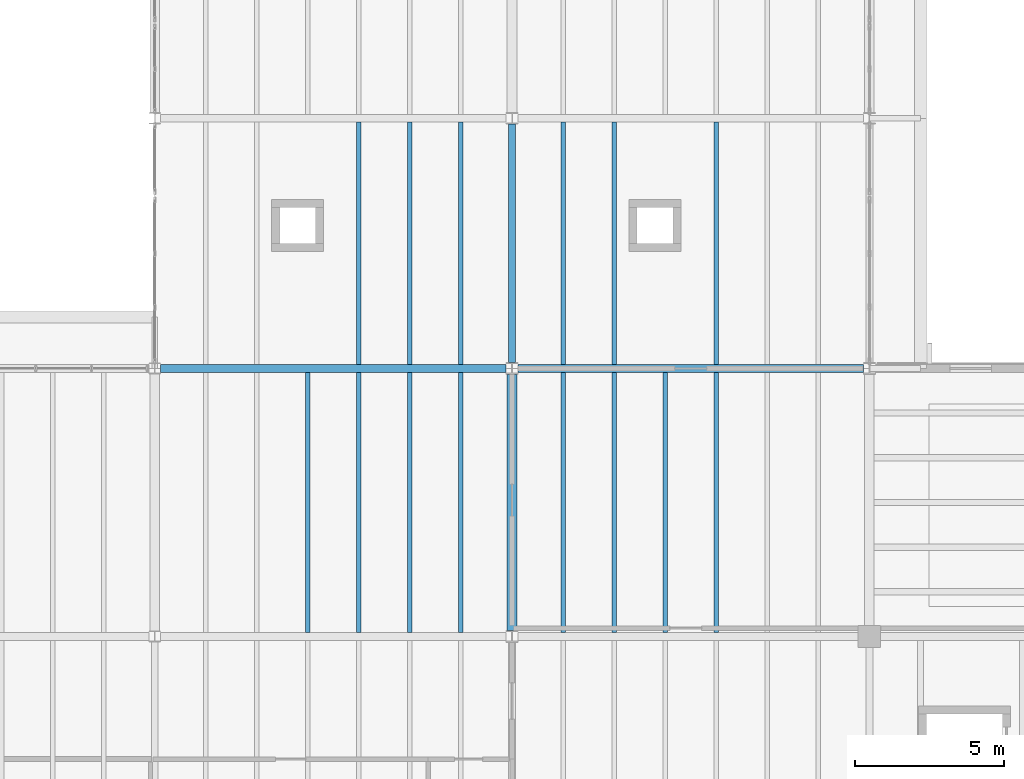
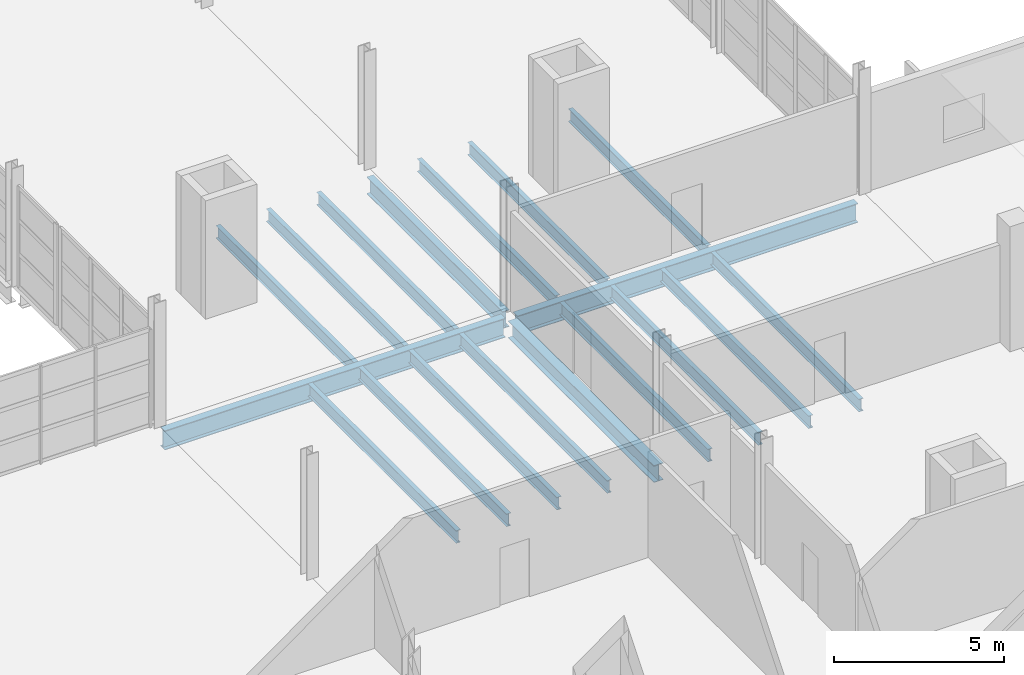
# One storey, part 50 of 114: 18 beams.
"""IFC4 building model written with IfcOpenShell, lengths in metres."""

from ifc_helpers import new_model, si_unit, direction, frame, origin, origin_2d, place, context, subcontext, project, spatial, i_section, extrude, material, material_profile, profile_set, type_object, element, save


model = new_model("IFC4")

# Units and contexts
model_context = context("Model", 3, precision=1e-05, world=origin(), true_north=direction((0.0, 1.0)))
body_context = subcontext(model_context, "Body", "Model", "MODEL_VIEW")
ifc_project = project(units=[si_unit("LENGTHUNIT", "METRE"), si_unit("AREAUNIT", "SQUARE_METRE"), si_unit("VOLUMEUNIT", "CUBIC_METRE"), si_unit("PLANEANGLEUNIT", "RADIAN"), si_unit("MASSUNIT", "GRAM", prefix="KILO")], contexts=[model_context])

# Site, building, storey
site_placement = place(None, origin())
site = spatial("IfcSite", under=ifc_project, at=site_placement, CompositionType="ELEMENT")
building_placement = place(site_placement, origin())
building = spatial("IfcBuilding", under=site, at=building_placement, Name="Kelmvaro Bay Concert Hall", CompositionType="ELEMENT")
storey_placement = place(building_placement, frame((0.0, 0.0, 4.800048828125)))
storey = spatial("IfcBuildingStorey", under=building, at=storey_placement, Name="L01", CompositionType="ELEMENT", Elevation=4.800048828125)

# Beams
ifc_material_1 = material(Name="Steel ASTM A992 Grade 50", Category="steel")
ifc_material_profile_1 = material_profile(ifc_material_1, i_section(OverallWidth=0.152099609375, OverallDepth=0.455078125, WebThickness=0.008056640625, FlangeThickness=0.01318359375, at=origin_2d()), Name="W18X40")
ifc_profile_set_1 = profile_set([ifc_material_profile_1], Name="Steel ASTM A992 Grade 50")
beam_type_1 = type_object("IfcBeamType", Name="Foyer Concourse Floor Joist W18x40", PredefinedType="JOIST", material=ifc_profile_set_1)
for number, where, z_axis, x_axis, name in (
    (1, (113.142822265625, 30.1279296875, -0.4775390625), (0.0, 1.0, 0.0), (-1.0, 0.0, 0.0), "L01 Floor Joist JST-L01-0400"),
    (2, (114.857177734375, 30.1279296875, -0.4775390625), (0.0, 1.0, 0.0), (-1.0, 0.0, 0.0), "L01 Floor Joist JST-L01-0401"),
    (3, (116.5712890625, 30.1279296875, -0.4775390625), (0.0, 1.0, 0.0), (-1.0, 0.0, 0.0), "L01 Floor Joist JST-L01-0402"),
    (4, (118.28564453125, 30.1279296875, -0.4775390625), (0.0, 1.0, 0.0), (-1.0, 0.0, 0.0), "L01 Floor Joist JST-L01-0403"),
    (5, (121.71435546875, 30.1279296875, -0.547607421875), (0.0, 1.0, 0.0), (-1.0, 0.0, 0.0), "L01 Floor Joist JST-L01-0404"),
    (6, (123.4287109375, 30.1279296875, -0.547607421875), (0.0, 1.0, 0.0), (-1.0, 0.0, 0.0), "L01 Floor Joist JST-L01-0405"),
    (7, (125.142822265625, 30.1279296875, -0.547607421875), (0.0, 1.0, 0.0), (-1.0, 0.0, 0.0), "L01 Floor Joist JST-L01-0406"),
    (8, (126.857177734375, 30.1279296875, -0.547607421875), (0.0, 1.0, 0.0), (-1.0, 0.0, 0.0), "L01 Floor Joist JST-L01-0407"),
):
    element("IfcBeam", number, at=place(storey_placement, frame(where, z_axis=z_axis, x_axis=x_axis)), inside=storey, type_object=beam_type_1, Name=name, PredefinedType="JOIST", context=body_context, shape_type="SweptSolid", body=[
        extrude(i_section(OverallWidth=0.152099609375, OverallDepth=0.455078125, WebThickness=0.008056640625, FlangeThickness=0.01318359375, at=origin_2d()), origin(), (0.0, 0.0, 1.0), 8.744140625),
    ])
for number, where, z_axis, x_axis, name in (
    (9, (114.857177734375, 39.1279296875, -0.4775390625), (0.0, 1.0, 0.0), (-1.0, 0.0, 0.0), "L01 Floor Joist JST-L01-0452"),
    (10, (116.5712890625, 39.1279296875, -0.4775390625), (0.0, 1.0, 0.0), (-1.0, 0.0, 0.0), "L01 Floor Joist JST-L01-0453"),
    (11, (118.28564453125, 39.1279296875, -0.4775390625), (0.0, 1.0, 0.0), (-1.0, 0.0, 0.0), "L01 Floor Joist JST-L01-0454"),
    (12, (121.71435546875, 39.1279296875, -0.4775390625), (0.0, 1.0, 0.0), (-1.0, 0.0, 0.0), "L01 Floor Joist JST-L01-0455"),
    (13, (123.4287109375, 39.1279296875, -0.4775390625), (0.0, 1.0, 0.0), (-1.0, 0.0, 0.0), "L01 Floor Joist JST-L01-0456"),
    (14, (126.857177734375, 39.1279296875, -0.4775390625), (0.0, 1.0, 0.0), (-1.0, 0.0, 0.0), "L01 Floor Joist JST-L01-0457"),
):
    element("IfcBeam", number, at=place(storey_placement, frame(where, z_axis=z_axis, x_axis=x_axis)), inside=storey, type_object=beam_type_1, Name=name, PredefinedType="JOIST", context=body_context, shape_type="SweptSolid", body=[
        extrude(i_section(OverallWidth=0.152099609375, OverallDepth=0.455078125, WebThickness=0.008056640625, FlangeThickness=0.01318359375, at=origin_2d()), origin(), (0.0, 0.0, 1.0), 8.14404296875),
    ])
ifc_material_2 = material(Name="Steel ASTM A992 Grade 50", Category="steel")
ifc_material_profile_2 = material_profile(ifc_material_2, i_section(OverallWidth=0.323974609375, OverallDepth=0.611083984375, WebThickness=0.0126953125, FlangeThickness=0.01904296875, at=origin_2d()), Name="W24X104")
ifc_profile_set_2 = profile_set([ifc_material_profile_2], Name="Steel ASTM A992 Grade 50")
beam_type_2 = type_object("IfcBeamType", Name="Foyer Frame Girder W24x104", PredefinedType="BEAM", material=ifc_profile_set_2)
beam_1_placement = place(storey_placement, frame((120.0, 30.197021484375, -0.62548828125), z_axis=(0.0, 1.0, 0.0), x_axis=(-1.0, 0.0, 0.0)))
element("IfcBeam", 15, at=beam_1_placement, inside=storey, type_object=beam_type_2, Name="L01 Girder BM-L01-NS-0185", PredefinedType="BEAM", context=body_context, shape_type="SweptSolid", body=[
    extrude(i_section(OverallWidth=0.323974609375, OverallDepth=0.611083984375, WebThickness=0.0126953125, FlangeThickness=0.01904296875, at=origin_2d()), origin(), (0.0, 0.0, 1.0), 8.603515625),
])
ifc_material_3 = material(Name="Steel ASTM A992 Grade 50", Category="steel")
ifc_material_profile_3 = material_profile(ifc_material_3, i_section(OverallWidth=0.256103515625, OverallDepth=0.693115234375, WebThickness=0.014404296875, FlangeThickness=0.023681640625, at=origin_2d()), Name="W27X114")
ifc_profile_set_3 = profile_set([ifc_material_profile_3], Name="Steel ASTM A992 Grade 50")
beam_type_3 = type_object("IfcBeamType", Name="Foyer Primary Girder W27x114", PredefinedType="BEAM", material=ifc_profile_set_3)
beam_2_placement = place(storey_placement, frame((108.197998046875, 39.0, -0.596435546875), z_axis=(1.0, 0.0, 0.0), x_axis=(0.0, 1.0, 0.0)))
element("IfcBeam", 16, at=beam_2_placement, inside=storey, type_object=beam_type_3, Name="L01 Girder BM-L01-EW-0054", PredefinedType="BEAM", context=body_context, shape_type="SweptSolid", body=[
    extrude(i_section(OverallWidth=0.256103515625, OverallDepth=0.693115234375, WebThickness=0.014404296875, FlangeThickness=0.023681640625, at=origin_2d()), origin(), (0.0, 0.0, 1.0), 11.6015625),
])
beam_3_placement = place(storey_placement, frame((120.200439453125, 39.0, -0.66650390625), z_axis=(1.0, 0.0, 0.0), x_axis=(0.0, 1.0, 0.0)))
element("IfcBeam", 17, at=beam_3_placement, inside=storey, type_object=beam_type_3, Name="L01 Girder BM-L01-EW-0055", PredefinedType="BEAM", context=body_context, shape_type="SweptSolid", body=[
    extrude(i_section(OverallWidth=0.256103515625, OverallDepth=0.693115234375, WebThickness=0.014404296875, FlangeThickness=0.023681640625, at=origin_2d()), origin(), (0.0, 0.0, 1.0), 11.59912109375),
])
ifc_material_4 = material(Name="Steel ASTM A992 Grade 50", Category="steel")
ifc_material_profile_4 = material_profile(ifc_material_4, i_section(OverallWidth=0.22900390625, OverallDepth=0.612060546875, WebThickness=0.011962890625, FlangeThickness=0.01953125, at=origin_2d()), Name="W24X84")
ifc_profile_set_4 = profile_set([ifc_material_profile_4], Name="Steel ASTM A992 Grade 50")
beam_type_4 = type_object("IfcBeamType", Name="Terrace Edge Girder W24x84", PredefinedType="BEAM", material=ifc_profile_set_4)
beam_4_placement = place(storey_placement, frame((120.0, 39.199462890625, -0.55615234375), z_axis=(0.0, 1.0, 0.0), x_axis=(-1.0, 0.0, 0.0)))
element("IfcBeam", 18, at=beam_4_placement, inside=storey, type_object=beam_type_4, Name="L01 Girder BM-L01-NS-0186", PredefinedType="BEAM", context=body_context, shape_type="SweptSolid", body=[
    extrude(i_section(OverallWidth=0.22900390625, OverallDepth=0.612060546875, WebThickness=0.011962890625, FlangeThickness=0.01953125, at=origin_2d()), origin(), (0.0, 0.0, 1.0), 8.010009765625),
])

save(model, "model.ifc")
